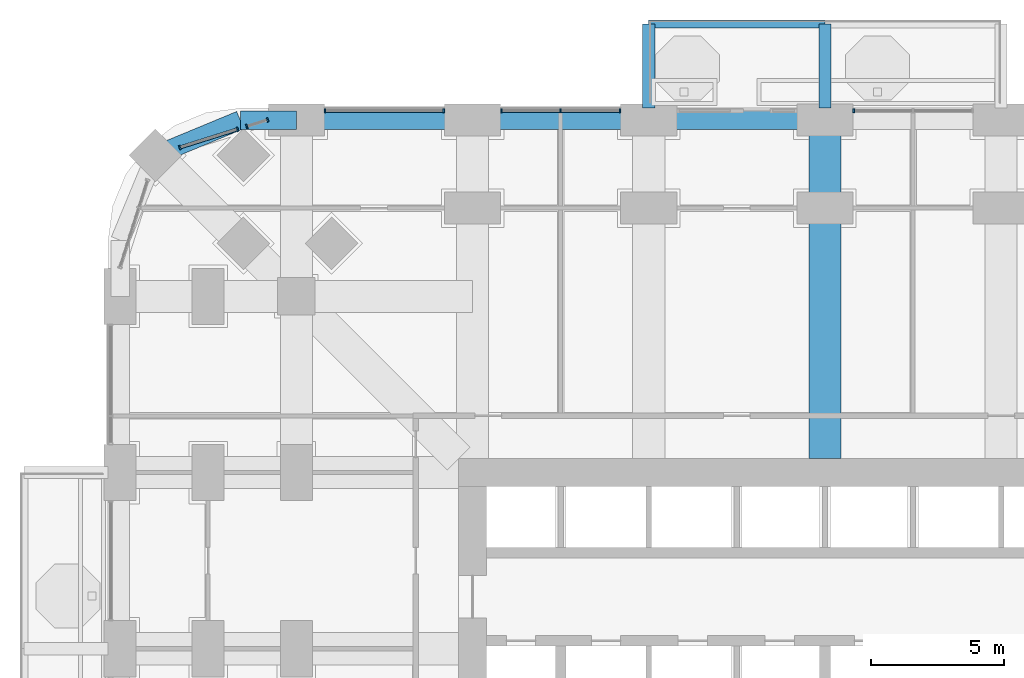
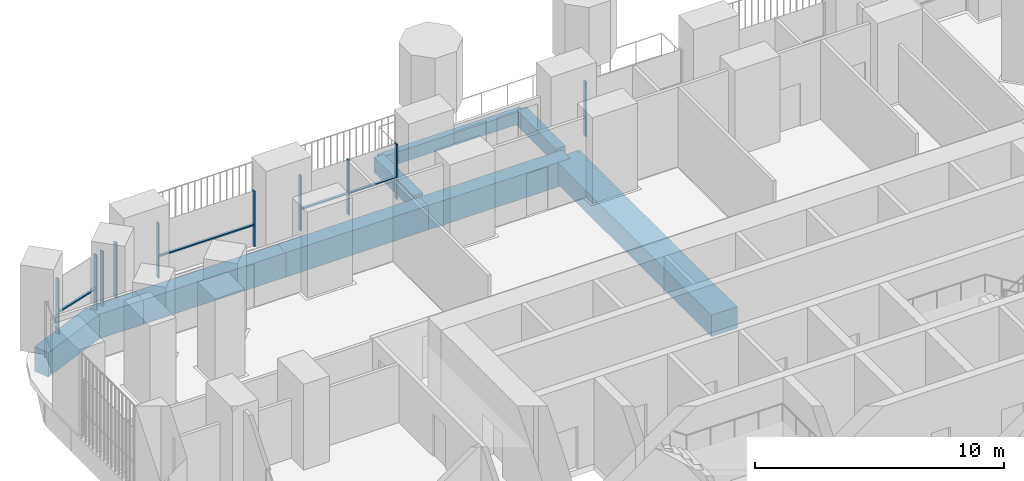
# One storey, part 7 of 26: 14 members, 9 beams, 5 elements without a shape of their own.
"""IFC4 building model written with IfcOpenShell, lengths in metres."""

import ifcopenshell
import ifcopenshell.guid

model = None  # the IFC model being written
_history = None  # IfcOwnerHistory: only IFC2X3 demands one
_inside = {}  # id of a spatial element -> (the spatial element, [elements in it])
_under = {}  # id of a project, library or spatial element -> (it, [spatial elements below it])
_declared = {}  # id of a project -> (the project, [libraries it declares])
_typed = {}  # id of a type object -> (the type object, [elements of that type])
_made_of = {}  # id of a material, layer set ... -> (it, [elements and type objects made of it])


def new_model(schema):
    """Start an empty IFC model of exactly this schema.

    Asked for "IFC4X3", IfcOpenShell would pick the latest addendum, in which some entities
    have other attributes; the version numbers below select the first issue.
    IFC2X3 requires an IfcOwnerHistory on every rooted entity: one is made here for all.
    """
    global model, _history
    if schema == "IFC4X3":
        model = ifcopenshell.file(schema_version=(4, 3, 0, 0))
    else:
        model = ifcopenshell.file(schema=schema)
    _inside.clear()
    _under.clear()
    _declared.clear()
    _typed.clear()
    _made_of.clear()
    _history = None
    if model.schema == "IFC2X3":
        org = make("IfcOrganization", Name="unknown")
        user = make(
            "IfcPersonAndOrganization",
            ThePerson=make("IfcPerson", FamilyName="unknown"),
            TheOrganization=org,
        )
        app = make(
            "IfcApplication",
            ApplicationDeveloper=org,
            Version="unknown",
            ApplicationFullName="unknown",
            ApplicationIdentifier="unknown",
        )
        _history = make(
            "IfcOwnerHistory",
            OwningUser=user,
            OwningApplication=app,
            ChangeAction="ADDED",
            CreationDate=0,
        )
    return model


def make(cls, **values):
    """One entity of the class cls with the attributes given. An attribute that is None is left unset."""
    return model.create_entity(
        cls, **{name: value for name, value in values.items() if value is not None}
    )


def rooted(cls, **values):
    """An entity with a GlobalId (a new one), such as an element, a storey or a relation."""
    return make(cls, GlobalId=ifcopenshell.guid.new(), OwnerHistory=_history, **values)


def si_unit(unit_type, name, prefix=None):
    """IfcSIUnit, for example si_unit("LENGTHUNIT", "METRE", prefix="MILLI")."""
    return make("IfcSIUnit", UnitType=unit_type, Prefix=prefix, Name=name)


def assignment(units):
    """IfcUnitAssignment: the units of a project."""
    return None if units is None else make("IfcUnitAssignment", Units=units)


def point(xyz):
    """IfcCartesianPoint."""
    return None if xyz is None else make("IfcCartesianPoint", Coordinates=xyz)


def direction(xyz):
    """IfcDirection."""
    return None if xyz is None else make("IfcDirection", DirectionRatios=xyz)


def frame(location, z_axis=None, x_axis=None):
    """IfcAxis2Placement3D, a coordinate frame: its origin and axes. An axis left out is left unset."""
    return make(
        "IfcAxis2Placement3D",
        Location=point(location),
        Axis=direction(z_axis),
        RefDirection=direction(x_axis),
    )


def frame_2d(location, x_axis=None):
    """IfcAxis2Placement2D, a coordinate frame in the plane: its origin and x axis."""
    return make(
        "IfcAxis2Placement2D", Location=point(location), RefDirection=direction(x_axis)
    )


def origin():
    """The frame at (0, 0, 0) with its axes left unset."""
    return frame((0.0, 0.0, 0.0))


def origin_2d():
    """The frame at (0, 0) in the plane with its x axis left unset."""
    return frame_2d((0.0, 0.0))


def place(relative_to, where):
    """IfcLocalPlacement: puts the frame where relative to a parent placement (None: the world)."""
    return make(
        "IfcLocalPlacement", PlacementRelTo=relative_to, RelativePlacement=where
    )


def context(
    kind, dimensions, precision=None, world=None, true_north=None, identifier=None
):
    """IfcGeometricRepresentationContext, for example the 3D "Model" context."""
    return make(
        "IfcGeometricRepresentationContext",
        ContextIdentifier=identifier,
        ContextType=kind,
        CoordinateSpaceDimension=dimensions,
        Precision=precision,
        WorldCoordinateSystem=world,
        TrueNorth=true_north,
    )


def subcontext(parent, identifier, kind, view, scale=None):
    """IfcGeometricRepresentationSubContext, for example "Body" below "Model"."""
    return make(
        "IfcGeometricRepresentationSubContext",
        ContextIdentifier=identifier,
        ContextType=kind,
        ParentContext=parent,
        TargetScale=scale,
        TargetView=view,
    )


def project(units=None, contexts=None):
    """IfcProject with its units and contexts."""
    return rooted(
        "IfcProject",
        Name="project",
        RepresentationContexts=contexts,
        UnitsInContext=assignment(units),
    )


def spatial(cls, under=None, at=None, **own):
    """A site, building, storey or space (cls), placed at a placement, below another one or the project."""
    s = rooted(cls, ObjectPlacement=at, **own)
    if under is not None:
        _under.setdefault(under.id(), (under, []))[1].append(s)
    return s


def profile(cls, at=None, kind="AREA", **sizes):
    """A parametric profile (cls). Its sizes go by their IFC names, for example OverallWidth=200.0."""
    return make(cls, ProfileType=kind, Position=at, **sizes)


def rectangle(**sizes):
    """IfcRectangleProfileDef."""
    return profile("IfcRectangleProfileDef", **sizes)


def extrude(swept, where, along, depth):
    """IfcExtrudedAreaSolid: the profile swept, set in the frame where, extruded along a direction by depth."""
    return make(
        "IfcExtrudedAreaSolid",
        SweptArea=swept,
        Position=where,
        ExtrudedDirection=direction(along),
        Depth=depth,
    )


def shape(context_of_items, identifier, shape_type, items):
    """IfcShapeRepresentation: the items that make up one representation, for example the "Body"."""
    return make(
        "IfcShapeRepresentation",
        ContextOfItems=context_of_items,
        RepresentationIdentifier=identifier,
        RepresentationType=shape_type,
        Items=items,
    )


def material(Name=None, Category=None):
    """IfcMaterial."""
    return make("IfcMaterial", Name=Name, Category=Category)


def material_profile(
    of_material, cross_section, Name=None, Category=None, Priority=None
):
    """IfcMaterialProfile: a cross section and its material."""
    return make(
        "IfcMaterialProfile",
        Name=Name,
        Material=of_material,
        Profile=cross_section,
        Priority=Priority,
        Category=Category,
    )


def profile_set(profiles, Name=None, composite=None):
    """IfcMaterialProfileSet."""
    return make(
        "IfcMaterialProfileSet",
        Name=Name,
        MaterialProfiles=profiles,
        CompositeProfile=composite,
    )


def made_of(thing, what):
    """Note that an element or type object is made of a material, layer set ...; save() writes the relation."""
    if what is not None:
        _made_of.setdefault(what.id(), (what, []))[1].append(thing)
    return thing


def type_object(cls, material=None, **own):
    """A type object (cls), such as IfcWallType, which elements share."""
    return made_of(rooted(cls, **own), material)


def element(
    cls,
    number,
    at=None,
    inside=None,
    cuts=None,
    type_object=None,
    material=None,
    context=None,
    identifier="Body",
    shape_type=None,
    held_by="IfcProductDefinitionShape",
    body=None,
    shapes=None,
    **own,
):
    """One element of the class cls, such as IfcWall. Its Tag is "e" and its number.

    at: its placement. inside: the storey or other place that contains it. cuts: it is an
    opening in that element (IfcRelVoidsElement). A single representation is given by context,
    identifier, shape_type and body (its items); several are given by shapes. held_by: the class
    of the entity that holds the representations. save() writes the other relations.
    """
    e = rooted(cls, Tag="e%d" % number, ObjectPlacement=at, **own)
    if body is not None:
        shapes = [shape(context, identifier, shape_type, body)]
    if shapes is not None:
        e.Representation = make(held_by, Representations=shapes)
    if inside is not None:
        _inside.setdefault(inside.id(), (inside, []))[1].append(e)
    if cuts is not None:
        rooted(
            "IfcRelVoidsElement", RelatingBuildingElement=cuts, RelatedOpeningElement=e
        )
    if type_object is not None:
        _typed.setdefault(type_object.id(), (type_object, []))[1].append(e)
    return made_of(e, material)


def aggregate(whole, parts):
    """IfcRelAggregates: a whole, such as a stair, and the parts it consists of."""
    return rooted("IfcRelAggregates", RelatingObject=whole, RelatedObjects=parts)


def save(model, path):
    """Write the relations noted so far, then the file.

    IfcRelAggregates (storeys below a building ...), IfcRelContainedInSpatialStructure (elements
    in a storey), IfcRelDefinesByType, IfcRelAssociatesMaterial and IfcRelDeclares: one each for
    every whole, place, type object, material and project.
    """
    for whole, parts in _under.values():
        aggregate(whole, parts)
    for where, things in _inside.values():
        rooted(
            "IfcRelContainedInSpatialStructure",
            RelatedElements=things,
            RelatingStructure=where,
        )
    for kind, things in _typed.values():
        rooted("IfcRelDefinesByType", RelatedObjects=things, RelatingType=kind)
    for what, things in _made_of.values():
        rooted("IfcRelAssociatesMaterial", RelatedObjects=things, RelatingMaterial=what)
    for by, libraries in _declared.values():
        rooted("IfcRelDeclares", RelatingContext=by, RelatedDefinitions=libraries)
    model.write(path)


model = new_model("IFC4")

# Units and contexts
model_context = context("Model", 3, precision=1e-05, world=origin(), true_north=direction((0.0, 1.0)))
body_context = subcontext(model_context, "Body", "Model", "MODEL_VIEW")
ifc_project = project(units=[si_unit("LENGTHUNIT", "METRE"), si_unit("AREAUNIT", "SQUARE_METRE"), si_unit("VOLUMEUNIT", "CUBIC_METRE"), si_unit("PLANEANGLEUNIT", "RADIAN"), si_unit("MASSUNIT", "GRAM", prefix="KILO")], contexts=[model_context])

# Site, building, storey
site_placement = place(None, origin())
site = spatial("IfcSite", under=ifc_project, at=site_placement, CompositionType="ELEMENT")
building_placement = place(site_placement, origin())
building = spatial("IfcBuilding", under=site, at=building_placement, Name="Cobogo Forest Laboratory Tower", CompositionType="ELEMENT")
storey_placement = place(building_placement, frame((0.0, 0.0, 50.699951171875)))
storey = spatial("IfcBuildingStorey", under=building, at=storey_placement, Name="L11", CompositionType="ELEMENT", Elevation=50.699951171875)

# Beams
ifc_material_1 = material(Name="Concrete HA-40 (C40/50)", Category="concrete")
ifc_material_profile_1 = material_profile(ifc_material_1, rectangle(XDim=0.449951171875, YDim=0.75, at=origin_2d()), Name="RC 450x750")
ifc_profile_set_1 = profile_set([ifc_material_profile_1], Name="Concrete HA-40 (C40/50)")
beam_type_1 = type_object("IfcBeamType", Name="Balcony cantilever beam 450x750", PredefinedType="BEAM", material=ifc_profile_set_1)
for number, where, z_axis, x_axis, name in (
    (1, (19.800048828125, 46.64990234375, -0.625), (0.0, 1.0, 0.0), (-1.0, 0.0, 0.0), "CB1 BAL-N1-C1 L11"),
    (2, (26.39990234375, 46.64990234375, -0.625), (0.0, 1.0, 0.0), (-1.0, 0.0, 0.0), "CB1 BAL-N1-C2 L11"),
):
    element("IfcBeam", number, at=place(storey_placement, frame(where, z_axis=z_axis, x_axis=x_axis)), inside=storey, type_object=beam_type_1, Name=name, PredefinedType="BEAM", context=body_context, shape_type="SweptSolid", body=[
        extrude(rectangle(XDim=0.449951171875, YDim=0.75, at=origin_2d()), origin(), (0.0, 0.0, 1.0), 3.150146484375),
    ])
ifc_material_profile_2 = material_profile(ifc_material_1, rectangle(XDim=0.300048828125, YDim=0.60009765625, at=origin_2d()), Name="RC 300x600")
ifc_profile_set_2 = profile_set([ifc_material_profile_2], Name="Concrete HA-40 (C40/50)")
beam_type_2 = type_object("IfcBeamType", Name="Balcony edge beam 300x600", PredefinedType="BEAM", material=ifc_profile_set_2)
beam_1_placement = place(storey_placement, frame((19.800048828125, 49.800048828125, -0.550048828125), z_axis=(1.0, 0.0, 0.0), x_axis=(0.0, 1.0, 0.0)))
element("IfcBeam", 3, at=beam_1_placement, inside=storey, type_object=beam_type_2, Name="BB1 BAL-N1-T1 L11", PredefinedType="BEAM", context=body_context, shape_type="SweptSolid", body=[
    extrude(rectangle(XDim=0.300048828125, YDim=0.60009765625, at=origin_2d()), origin(), (0.0, 0.0, 1.0), 6.599853515625),
])
ifc_material_profile_3 = material_profile(ifc_material_1, rectangle(XDim=1.199951171875, YDim=1.050048828125, at=origin_2d()), Name="RC 1200x1050")
ifc_profile_set_3 = profile_set([ifc_material_profile_3], Name="Concrete HA-40 (C40/50)")
beam_type_3 = type_object("IfcBeamType", Name="Laboratory floor wide beam 1200x1050", PredefinedType="BEAM", material=ifc_profile_set_3)
beam_2_placement = place(storey_placement, frame((26.39990234375, 33.52490234375, -0.824951171875), z_axis=(0.0, 1.0, 0.0), x_axis=(-1.0, 0.0, 0.0)))
element("IfcBeam", 4, at=beam_2_placement, inside=storey, type_object=beam_type_3, Name="RB1 R-5-N L11", PredefinedType="BEAM", context=body_context, shape_type="SweptSolid", body=[
    extrude(rectangle(XDim=1.199951171875, YDim=1.050048828125, at=origin_2d()), origin(), (0.0, 0.0, 1.0), 12.675048828125),
])

# Curtain wall, member
ifc_material_2 = material(Name="Aluminium curtain wall", Category="aluminium")
curtain_wall_type = type_object("IfcCurtainWallType", Name="CW-1 unitised curtain wall, clear glazing, laboratory floors zones A and B", PredefinedType="USERDEFINED", material=ifc_material_2)
curtain_wall_1_placement = place(storey_placement, origin())
curtain_wall_1 = element("IfcCurtainWall", 5, at=curtain_wall_1_placement, inside=storey, type_object=curtain_wall_type, Name="Curtain wall 20 L11", ObjectType="UNITISED CURTAIN WALL", PredefinedType="USERDEFINED")
ifc_material_3 = material(Name="Aluminium mullion", Category="aluminium")
ifc_material_profile_4 = material_profile(ifc_material_3, rectangle(XDim=0.06005859375, YDim=0.159912109375, at=origin_2d()), Name="AL 60x160")
ifc_profile_set_4 = profile_set([ifc_material_profile_4], Name="Aluminium mullion")
member_type_1 = type_object("IfcMemberType", Name="MU-1 aluminium mullion 60x160", PredefinedType="MULLION", material=ifc_profile_set_4)
member_1_placement = place(storey_placement, frame((27.47998046875, 46.550048828125, 0.0), z_axis=(0.0, 0.0, 1.0), x_axis=(-1.0, 0.0, 0.0)))
member_1 = element("IfcMember", 6, at=member_1_placement, type_object=member_type_1, Name="CW-1 mullion 3", PredefinedType="MULLION", context=body_context, shape_type="SweptSolid", body=[
    extrude(rectangle(XDim=0.06005859375, YDim=0.159912109375, at=origin_2d()), origin(), (0.0, 0.0, 1.0), 2.699951171875),
])
aggregate(curtain_wall_1, [member_1])

# Curtain wall, members
curtain_wall_2_placement = place(storey_placement, origin())
curtain_wall_2 = element("IfcCurtainWall", 7, at=curtain_wall_2_placement, inside=storey, type_object=curtain_wall_type, Name="Curtain wall 22 L11", ObjectType="UNITISED CURTAIN WALL", PredefinedType="USERDEFINED")
member_2_placement = place(storey_placement, frame((18.719970703125, 46.550048828125, 0.0), z_axis=(0.0, 0.0, 1.0), x_axis=(-1.0, 0.0, 0.0)))
member_2 = element("IfcMember", 8, at=member_2_placement, type_object=member_type_1, Name="CW-1 mullion 1", PredefinedType="MULLION", context=body_context, shape_type="SweptSolid", body=[
    extrude(rectangle(XDim=0.06005859375, YDim=0.159912109375, at=origin_2d()), origin(), (0.0, 0.0, 1.0), 2.699951171875),
])
member_3_placement = place(storey_placement, frame((16.5, 46.550048828125, 0.0), z_axis=(0.0, 0.0, 1.0), x_axis=(-1.0, 0.0, 0.0)))
member_3 = element("IfcMember", 9, at=member_3_placement, type_object=member_type_1, Name="CW-1 mullion 2", PredefinedType="MULLION", context=body_context, shape_type="SweptSolid", body=[
    extrude(rectangle(XDim=0.06005859375, YDim=0.159912109375, at=origin_2d()), origin(), (0.0, 0.0, 1.0), 2.699951171875),
])
member_4_placement = place(storey_placement, frame((14.280029296875, 46.550048828125, 0.0), z_axis=(0.0, 0.0, 1.0), x_axis=(-1.0, 0.0, 0.0)))
member_4 = element("IfcMember", 10, at=member_4_placement, type_object=member_type_1, Name="CW-1 mullion 3", PredefinedType="MULLION", context=body_context, shape_type="SweptSolid", body=[
    extrude(rectangle(XDim=0.06005859375, YDim=0.159912109375, at=origin_2d()), origin(), (0.0, 0.0, 1.0), 2.699951171875),
])

curtain_wall_3_placement = place(storey_placement, origin())
curtain_wall_3 = element("IfcCurtainWall", 11, at=curtain_wall_3_placement, inside=storey, type_object=curtain_wall_type, Name="Curtain wall 23 L11", ObjectType="UNITISED CURTAIN WALL", PredefinedType="USERDEFINED")
member_5_placement = place(storey_placement, frame((12.1201171875, 46.550048828125, 0.0), z_axis=(0.0, 0.0, 1.0), x_axis=(-1.0, 0.0, 0.0)))
member_5 = element("IfcMember", 12, at=member_5_placement, type_object=member_type_1, Name="CW-1 mullion 1", PredefinedType="MULLION", context=body_context, shape_type="SweptSolid", body=[
    extrude(rectangle(XDim=0.06005859375, YDim=0.159912109375, at=origin_2d()), origin(), (0.0, 0.0, 1.0), 2.699951171875),
])
member_6_placement = place(storey_placement, frame((7.679931640625, 46.550048828125, 0.0), z_axis=(0.0, 0.0, 1.0), x_axis=(-1.0, 0.0, 0.0)))
member_6 = element("IfcMember", 13, at=member_6_placement, type_object=member_type_1, Name="CW-1 mullion 2", PredefinedType="MULLION", context=body_context, shape_type="SweptSolid", body=[
    extrude(rectangle(XDim=0.06005859375, YDim=0.159912109375, at=origin_2d()), origin(), (0.0, 0.0, 1.0), 2.699951171875),
])

curtain_wall_4_placement = place(storey_placement, origin())
curtain_wall_4 = element("IfcCurtainWall", 14, at=curtain_wall_4_placement, inside=storey, type_object=curtain_wall_type, Name="Curtain wall 24 L11", ObjectType="UNITISED CURTAIN WALL", PredefinedType="USERDEFINED")
member_7_placement = place(storey_placement, frame((5.521484375, 46.20947265625, 0.0), z_axis=(0.0, 0.0, 1.0), x_axis=(-0.953581504428, -0.301135043481, 0.0)))
member_7 = element("IfcMember", 15, at=member_7_placement, type_object=member_type_1, Name="CW-1 mullion 1", PredefinedType="MULLION", context=body_context, shape_type="SweptSolid", body=[
    extrude(rectangle(XDim=0.06005859375, YDim=0.159912109375, at=origin_2d()), origin(), (0.0, 0.0, 1.0), 2.699951171875),
])
member_8_placement = place(storey_placement, frame((4.74658203125, 45.96484375, 0.0), z_axis=(0.0, 0.0, 1.0), x_axis=(-0.953581504428, -0.301135043481, 0.0)))
member_8 = element("IfcMember", 16, at=member_8_placement, type_object=member_type_1, Name="CW-1 mullion 2", PredefinedType="MULLION", context=body_context, shape_type="SweptSolid", body=[
    extrude(rectangle(XDim=0.06005859375, YDim=0.159912109375, at=origin_2d()), origin(), (0.0, 0.0, 1.0), 2.699951171875),
])
aggregate(curtain_wall_4, [member_7, member_8])

curtain_wall_5_placement = place(storey_placement, origin())
curtain_wall_5 = element("IfcCurtainWall", 17, at=curtain_wall_5_placement, inside=storey, type_object=curtain_wall_type, Name="Curtain wall 25 L11", ObjectType="UNITISED CURTAIN WALL", PredefinedType="USERDEFINED")
member_9_placement = place(storey_placement, frame((4.39697265625, 45.854248046875, 0.0), z_axis=(0.0, 0.0, 1.0), x_axis=(-0.953581409645, -0.301135343623, 0.0)))
member_9 = element("IfcMember", 18, at=member_9_placement, type_object=member_type_1, Name="CW-1 mullion 1", PredefinedType="MULLION", context=body_context, shape_type="SweptSolid", body=[
    extrude(rectangle(XDim=0.06005859375, YDim=0.159912109375, at=origin_2d()), origin(), (0.0, 0.0, 1.0), 2.699951171875),
])
member_10_placement = place(storey_placement, frame((2.23876953125, 45.1728515625, 0.0), z_axis=(0.0, 0.0, 1.0), x_axis=(-0.953581409645, -0.301135343623, 0.0)))
member_10 = element("IfcMember", 19, at=member_10_placement, type_object=member_type_1, Name="CW-1 mullion 2", PredefinedType="MULLION", context=body_context, shape_type="SweptSolid", body=[
    extrude(rectangle(XDim=0.06005859375, YDim=0.159912109375, at=origin_2d()), origin(), (0.0, 0.0, 1.0), 2.699951171875),
])

# Beams
ifc_material_profile_5 = material_profile(ifc_material_1, rectangle(XDim=0.699951171875, YDim=1.199951171875, at=origin_2d()), Name="RC 700x1200")
ifc_profile_set_5 = profile_set([ifc_material_profile_5], Name="Concrete HA-40 (C40/50)")
beam_type_4 = type_object("IfcBeamType", Name="Perimeter edge beam 700x1200", PredefinedType="BEAM", material=ifc_profile_set_5)
beam_3_placement = place(storey_placement, frame((6.60009765625, 46.199951171875, -0.89990234375), z_axis=(1.0, 0.0, 0.0), x_axis=(0.0, 1.0, 0.0)))
element("IfcBeam", 20, at=beam_3_placement, inside=storey, type_object=beam_type_4, Name="EB1 E-N1 L11", PredefinedType="BEAM", context=body_context, shape_type="SweptSolid", body=[
    extrude(rectangle(XDim=0.699951171875, YDim=1.199951171875, at=origin_2d()), origin(), (0.0, 0.0, 1.0), 6.599853515625),
])
beam_4_placement = place(storey_placement, frame((13.199951171875, 46.199951171875, -0.89990234375), z_axis=(1.0, 0.0, 0.0), x_axis=(0.0, 1.0, 0.0)))
element("IfcBeam", 21, at=beam_4_placement, inside=storey, type_object=beam_type_4, Name="EB1 E-N2 L11", PredefinedType="BEAM", context=body_context, shape_type="SweptSolid", body=[
    extrude(rectangle(XDim=0.699951171875, YDim=1.199951171875, at=origin_2d()), origin(), (0.0, 0.0, 1.0), 6.60009765625),
])
beam_5_placement = place(storey_placement, frame((19.800048828125, 46.199951171875, -0.89990234375), z_axis=(1.0, 0.0, 0.0), x_axis=(0.0, 1.0, 0.0)))
element("IfcBeam", 22, at=beam_5_placement, inside=storey, type_object=beam_type_4, Name="EB1 E-N3 L11", PredefinedType="BEAM", context=body_context, shape_type="SweptSolid", body=[
    extrude(rectangle(XDim=0.699951171875, YDim=1.199951171875, at=origin_2d()), origin(), (0.0, 0.0, 1.0), 6.599853515625),
])
beam_6_placement = place(storey_placement, frame((6.60009765625, 46.199951171875, -0.89990234375), z_axis=(-1.0, 0.0, 0.0), x_axis=(0.0, -1.0, 0.0)))
element("IfcBeam", 23, at=beam_6_placement, inside=storey, type_object=beam_type_4, Name="EB1 E-NWN1 L11", PredefinedType="BEAM", context=body_context, shape_type="SweptSolid", body=[
    extrude(rectangle(XDim=0.699951171875, YDim=1.199951171875, at=origin_2d()), origin(), (0.0, 0.0, 1.0), 2.10009765625),
])
beam_7_placement = place(storey_placement, frame((4.5, 46.199951171875, -0.89990234375), z_axis=(-0.923890694089, -0.382656484822, 0.0), x_axis=(0.382656484822, -0.923890694089, 0.0)))
element("IfcBeam", 24, at=beam_7_placement, inside=storey, type_object=beam_type_4, Name="EB1 E-NWN2 L11", PredefinedType="BEAM", context=body_context, shape_type="SweptSolid", body=[
    extrude(rectangle(XDim=0.699951171875, YDim=1.199951171875, at=origin_2d()), origin(), (0.0, 0.0, 1.0), 3.444091796875),
])

# Member
ifc_material_4 = material(Name="Aluminium transom", Category="aluminium")
ifc_material_profile_6 = material_profile(ifc_material_4, rectangle(XDim=0.1201171875, YDim=0.06005859375, at=origin_2d()), Name="AL 60x120")
ifc_profile_set_6 = profile_set([ifc_material_profile_6], Name="Aluminium transom")
member_type_2 = type_object("IfcMemberType", Name="TR-1 aluminium transom 60x120", PredefinedType="USERDEFINED", material=ifc_profile_set_6)
member_11_placement = place(storey_placement, frame((18.68994140625, 46.550048828125, 1.050048828125), z_axis=(-1.0, 0.0, 0.0), x_axis=(0.0, -1.0, 0.0)))
member_11 = element("IfcMember", 25, at=member_11_placement, type_object=member_type_2, Name="CW-1 transom 1.1", ObjectType="TRANSOM", PredefinedType="USERDEFINED", context=body_context, shape_type="SweptSolid", body=[
    extrude(rectangle(XDim=0.1201171875, YDim=0.06005859375, at=origin_2d()), origin(), (0.0, 0.0, 1.0), 2.159912109375),
])

member_12_placement = place(storey_placement, frame((16.469970703125, 46.550048828125, 1.050048828125), z_axis=(-1.0, 0.0, 0.0), x_axis=(0.0, -1.0, 0.0)))
member_12 = element("IfcMember", 26, at=member_12_placement, type_object=member_type_2, Name="CW-1 transom 2.1", ObjectType="TRANSOM", PredefinedType="USERDEFINED", context=body_context, shape_type="SweptSolid", body=[
    extrude(rectangle(XDim=0.1201171875, YDim=0.06005859375, at=origin_2d()), origin(), (0.0, 0.0, 1.0), 2.159912109375),
])

aggregate(curtain_wall_2, [member_2, member_3, member_4, member_11, member_12])

member_13_placement = place(storey_placement, frame((12.090087890625, 46.550048828125, 1.050048828125), z_axis=(-1.0, 0.0, 0.0), x_axis=(0.0, -1.0, 0.0)))
member_13 = element("IfcMember", 27, at=member_13_placement, type_object=member_type_2, Name="CW-1 transom 1.1", ObjectType="TRANSOM", PredefinedType="USERDEFINED", context=body_context, shape_type="SweptSolid", body=[
    extrude(rectangle(XDim=0.1201171875, YDim=0.06005859375, at=origin_2d()), origin(), (0.0, 0.0, 1.0), 4.380126953125),
])

aggregate(curtain_wall_3, [member_5, member_6, member_13])

member_14_placement = place(storey_placement, frame((4.368408203125, 45.84521484375, 1.050048828125), z_axis=(-0.953604433273, -0.301062426819, 0.0), x_axis=(0.301062426819, -0.953604433273, 0.0)))
member_14 = element("IfcMember", 28, at=member_14_placement, type_object=member_type_2, Name="CW-1 transom 1.1", ObjectType="TRANSOM", PredefinedType="USERDEFINED", context=body_context, shape_type="SweptSolid", body=[
    extrude(rectangle(XDim=0.1201171875, YDim=0.06005859375, at=origin_2d()), origin(), (0.0, 0.0, 1.0), 2.203369140625),
])

aggregate(curtain_wall_5, [member_9, member_10, member_14])

save(model, "model.ifc")
